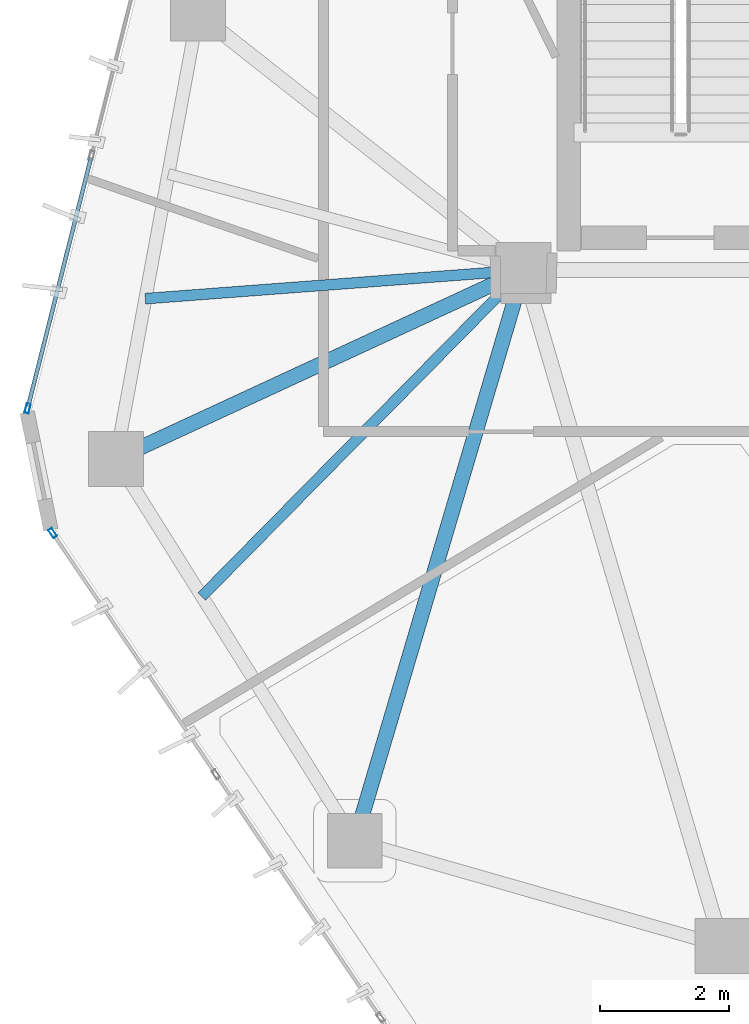
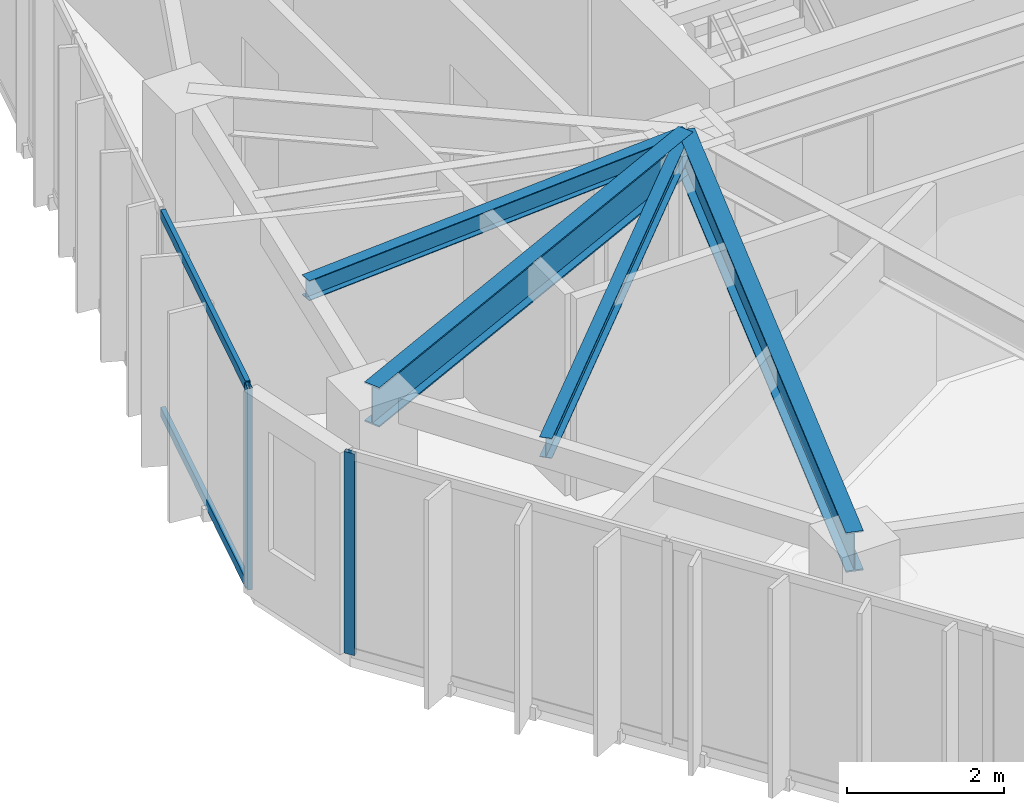
# One storey, part 4 of 20: 4 beams, 4 members, 2 elements without a shape of their own.
"""IFC4 building model written with IfcOpenShell, lengths in metres."""

from ifc_helpers import new_model, si_unit, direction, frame, origin, origin_2d, place, context, subcontext, project, spatial, hollow_rectangle, i_section, extrude, source, transform, mapped, material, layer, layer_set, material_profile, profile_set, type_object, type_shapes, element, aggregate, save


model = new_model("IFC4")

# Units and contexts
model_context = context("Model", 3, precision=1e-05, world=origin(), true_north=direction((0.0, 1.0)))
body_context = subcontext(model_context, "Body", "Model", "MODEL_VIEW")
ifc_project = project(units=[si_unit("LENGTHUNIT", "METRE"), si_unit("AREAUNIT", "SQUARE_METRE"), si_unit("VOLUMEUNIT", "CUBIC_METRE"), si_unit("PLANEANGLEUNIT", "RADIAN"), si_unit("MASSUNIT", "GRAM", prefix="KILO")], contexts=[model_context])

# Site, building, storey
site_placement = place(None, origin())
site = spatial("IfcSite", under=ifc_project, at=site_placement, CompositionType="ELEMENT")
building_placement = place(site_placement, origin())
building = spatial("IfcBuilding", under=site, at=building_placement, Name="Talar Marvaseh", CompositionType="ELEMENT")
storey_placement = place(building_placement, frame((0.0, 0.0, 251.0)))
storey = spatial("IfcBuildingStorey", under=building, at=storey_placement, Name="L66", CompositionType="ELEMENT", Elevation=251.0)

# Beams
ifc_material_1 = material(Name="Steel S355", Category="steel")
ifc_material_profile_1 = material_profile(ifc_material_1, i_section(OverallWidth=0.166015625, OverallDepth=0.31298828125, WebThickness=0.006591796875, FlangeThickness=0.01123046875, at=origin_2d()), Name="W310x45")
ifc_profile_set_1 = profile_set([ifc_material_profile_1], Name="Steel S355")
beam_type_1 = type_object("IfcBeamType", Name="Zone 3 Secondary Floor Joist W310x45", PredefinedType="JOIST", material=ifc_profile_set_1)
beam_1_placement = place(storey_placement, frame((12.845703125, 25.05859375, 2.9833984375), z_axis=(0.997169535009, 0.075185892627, 0.0), x_axis=(-0.075185892627, 0.997169535009, 0.0)))
element("IfcBeam", 1, at=beam_1_placement, inside=storey, type_object=beam_type_1, Name="L66 Zone 3 Secondary Floor Joist W310x45", PredefinedType="JOIST", context=body_context, shape_type="SweptSolid", body=[
    extrude(i_section(OverallWidth=0.166015625, OverallDepth=0.31298828125, WebThickness=0.006591796875, FlangeThickness=0.01123046875, at=origin_2d()), origin(), (0.0, 0.0, 1.0), 5.870849609375),
])
beam_2_placement = place(storey_placement, frame((13.72021484375, 20.44970703125, 2.9833984375), z_axis=(0.702115238584, 0.712063334085, 0.0), x_axis=(-0.712063334085, 0.702115238584, 0.0)))
element("IfcBeam", 2, at=beam_2_placement, inside=storey, type_object=beam_type_1, Name="L66 Zone 3 Secondary Floor Joist W310x45", PredefinedType="JOIST", context=body_context, shape_type="SweptSolid", body=[
    extrude(i_section(OverallWidth=0.166015625, OverallDepth=0.31298828125, WebThickness=0.006591796875, FlangeThickness=0.01123046875, at=origin_2d()), origin(), (0.0, 0.0, 1.0), 7.092529296875),
])
ifc_material_profile_2 = material_profile(ifc_material_1, i_section(OverallWidth=0.22998046875, OverallDepth=0.616943359375, WebThickness=0.01318359375, FlangeThickness=0.022216796875, at=origin_2d()), Name="W610x140")
ifc_profile_set_2 = profile_set([ifc_material_profile_2], Name="Steel S355")
beam_type_2 = type_object("IfcBeamType", Name="Zone 4 Radial Floor Girder W610x140", PredefinedType="BEAM", material=ifc_profile_set_2)
beam_3_placement = place(storey_placement, frame((12.388916015625, 22.576904296875, 2.83154296875), z_axis=(0.907394527995, 0.420279871709, 0.0), x_axis=(-0.420279871709, 0.907394527995, 0.0)))
element("IfcBeam", 3, at=beam_3_placement, inside=storey, type_object=beam_type_2, Name="L66 Zone 4 Radial Floor Girder W610x140", PredefinedType="BEAM", context=body_context, shape_type="SweptSolid", body=[
    extrude(i_section(OverallWidth=0.22998046875, OverallDepth=0.616943359375, WebThickness=0.01318359375, FlangeThickness=0.022216796875, at=origin_2d()), origin(), (0.0, 0.0, 1.0), 6.955078125),
])
beam_4_placement = place(storey_placement, frame((16.0869140625, 16.66796875, 2.83154296875), z_axis=(0.283702937759, 0.958912218666, 0.0), x_axis=(-0.958912218666, 0.283702937759, 0.0)))
element("IfcBeam", 4, at=beam_4_placement, inside=storey, type_object=beam_type_2, Name="L66 Zone 4 Radial Floor Girder W610x140", PredefinedType="BEAM", context=body_context, shape_type="SweptSolid", body=[
    extrude(i_section(OverallWidth=0.22998046875, OverallDepth=0.616943359375, WebThickness=0.01318359375, FlangeThickness=0.022216796875, at=origin_2d()), origin(), (0.0, 0.0, 1.0), 9.21044921875),
])

# Curtain wall, member
ifc_material_2 = material(Name="Architectural Aluminium", Category="aluminium")
ifc_layer = layer(ifc_material_2, 0.179931640625)
ifc_layer_set = layer_set([ifc_layer], Name="Architectural Aluminium")
curtain_wall_type = type_object("IfcCurtainWallType", Name="Unitised High-Wind Sky Curtain Wall Z4", PredefinedType="NOTDEFINED", material=ifc_layer_set)
curtain_wall_1_placement = place(storey_placement, origin())
curtain_wall_1 = element("IfcCurtainWall", 5, at=curtain_wall_1_placement, inside=storey, type_object=curtain_wall_type, Name="L66 Unitised High-Wind Sky Curtain Wall Z4", PredefinedType="NOTDEFINED")
ifc_material_profile_3 = material_profile(ifc_material_2, hollow_rectangle(XDim=0.06494140625, YDim=0.14990234375, WallThickness=0.00390625, at=origin_2d()), Name="RHS150x65x4")
ifc_profile_set_3 = profile_set([ifc_material_profile_3], Name="Architectural Aluminium")
member_type_1 = type_object("IfcMemberType", Name="Unitised Curtain Wall Slim Mullion RHS150x65x4", PredefinedType="MULLION", material=ifc_profile_set_3)
shared_shape_1 = source(origin(), body_context, "Body", "SweptSolid", [
    extrude(hollow_rectangle(XDim=0.06494140625, YDim=0.14990234375, WallThickness=0.00390625, at=origin_2d()), origin(), (0.0, 0.0, 1.0), 3.139892578125),
])
type_shapes(member_type_1, [shared_shape_1])
member_1_placement = place(storey_placement, frame((11.4091796875, 21.4326171875, 0.0), z_axis=(0.0, 0.0, 1.0), x_axis=(-0.828098262925, -0.560582970612, 0.0)))
member_1 = element("IfcMember", 6, at=member_1_placement, type_object=member_type_1, Name="CW-Z4 mullion 4", PredefinedType="MULLION", context=body_context, shape_type="MappedRepresentation", body=[
    mapped(shared_shape_1, transform((0.0, 0.0, 0.0), x_axis=(1.0, 0.0, 0.0), y_axis=(0.0, 1.0, 0.0), z_axis=(0.0, 0.0, 1.0), scale=1.0)),
])
aggregate(curtain_wall_1, [member_1])

# Curtain wall, members
curtain_wall_2_placement = place(storey_placement, origin())
curtain_wall_2 = element("IfcCurtainWall", 7, at=curtain_wall_2_placement, inside=storey, type_object=curtain_wall_type, Name="L66 Unitised High-Wind Sky Curtain Wall Z4", PredefinedType="NOTDEFINED")
member_2_placement = place(storey_placement, frame((11.024169921875, 23.359375, 0.0), z_axis=(0.0, 0.0, 1.0), x_axis=(-0.969522501223, 0.245002284933, 0.0)))
member_2 = element("IfcMember", 8, at=member_2_placement, type_object=member_type_1, Name="CW-Z4 mullion 1", PredefinedType="MULLION", context=body_context, shape_type="MappedRepresentation", body=[
    mapped(shared_shape_1, transform((0.0, 0.0, 0.0), x_axis=(1.0, 0.0, 0.0), y_axis=(0.0, 1.0, 0.0), z_axis=(0.0, 0.0, 1.0), scale=1.0)),
])
ifc_material_profile_4 = material_profile(ifc_material_2, hollow_rectangle(XDim=0.06494140625, YDim=0.14990234375, WallThickness=0.00390625, at=origin_2d()), Name="RHS150x65x4")
ifc_profile_set_4 = profile_set([ifc_material_profile_4], Name="Architectural Aluminium")
member_type_2 = type_object("IfcMemberType", Name="Unitised Curtain Wall Slim Transom RHS150x65x4", PredefinedType="USERDEFINED", material=ifc_profile_set_4)
shared_shape_2 = source(origin(), body_context, "Body", "SweptSolid", [
    extrude(hollow_rectangle(XDim=0.06494140625, YDim=0.14990234375, WallThickness=0.00390625, at=origin_2d()), origin(), (0.0, 0.0, 1.0), 3.97119140625),
])
type_shapes(member_type_2, [shared_shape_2])
member_3_placement = place(storey_placement, frame((11.0322265625, 23.390869140625, 0.032470703125), z_axis=(0.24499400777, 0.969524592858, 0.0), x_axis=(-0.969524592858, 0.24499400777, 0.0)))
member_3 = element("IfcMember", 9, at=member_3_placement, type_object=member_type_2, Name="CW-Z4 transom 1.1", ObjectType="TRANSOM", PredefinedType="USERDEFINED", context=body_context, shape_type="MappedRepresentation", body=[
    mapped(shared_shape_2, transform((0.0, 0.0, 0.0), x_axis=(1.0, 0.0, 0.0), y_axis=(0.0, 1.0, 0.0), z_axis=(0.0, 0.0, 1.0), scale=1.0)),
])
member_4_placement = place(storey_placement, frame((11.0322265625, 23.390869140625, 3.107421875), z_axis=(0.24499400777, 0.969524592858, 0.0), x_axis=(-0.969524592858, 0.24499400777, 0.0)))
member_4 = element("IfcMember", 10, at=member_4_placement, type_object=member_type_2, Name="CW-Z4 transom 1.2", ObjectType="TRANSOM", PredefinedType="USERDEFINED", context=body_context, shape_type="MappedRepresentation", body=[
    mapped(shared_shape_2, transform((0.0, 0.0, 0.0), x_axis=(1.0, 0.0, 0.0), y_axis=(0.0, 1.0, 0.0), z_axis=(0.0, 0.0, 1.0), scale=1.0)),
])
aggregate(curtain_wall_2, [member_2, member_3, member_4])

save(model, "model.ifc")
